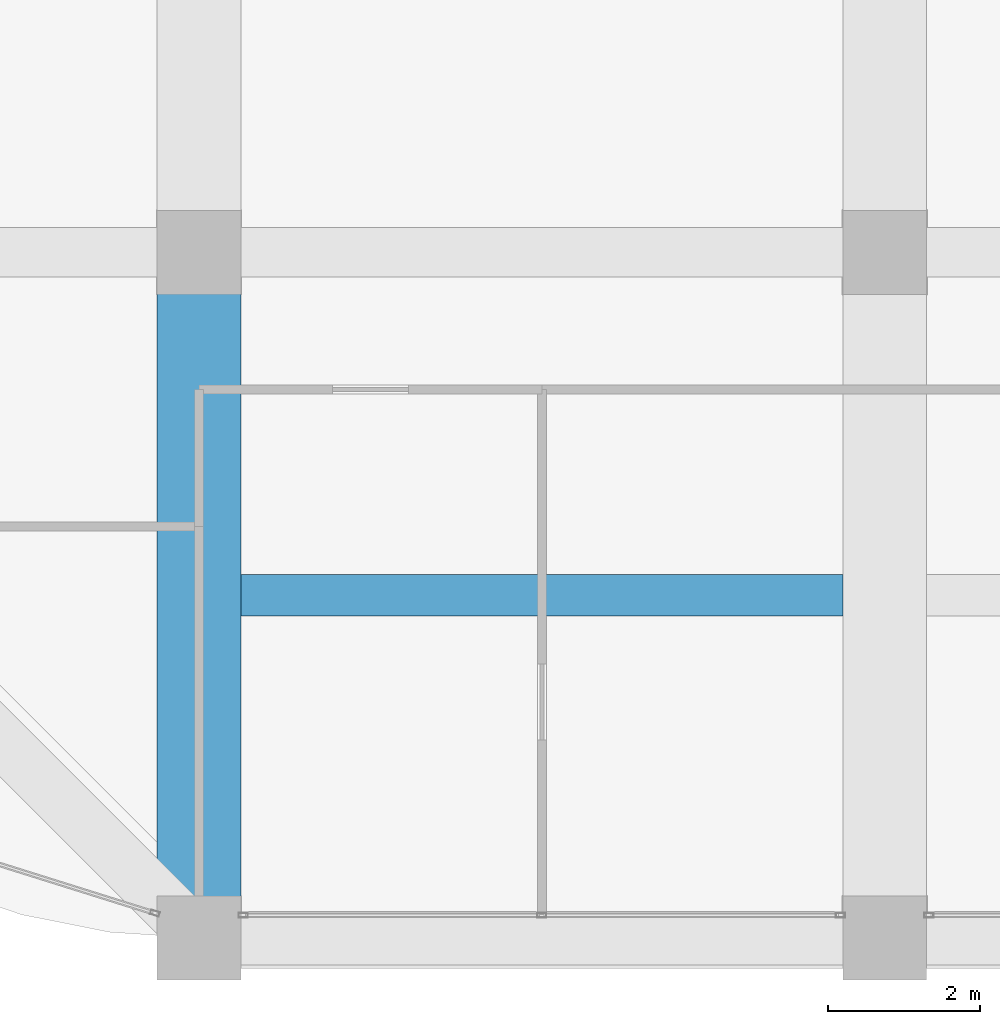
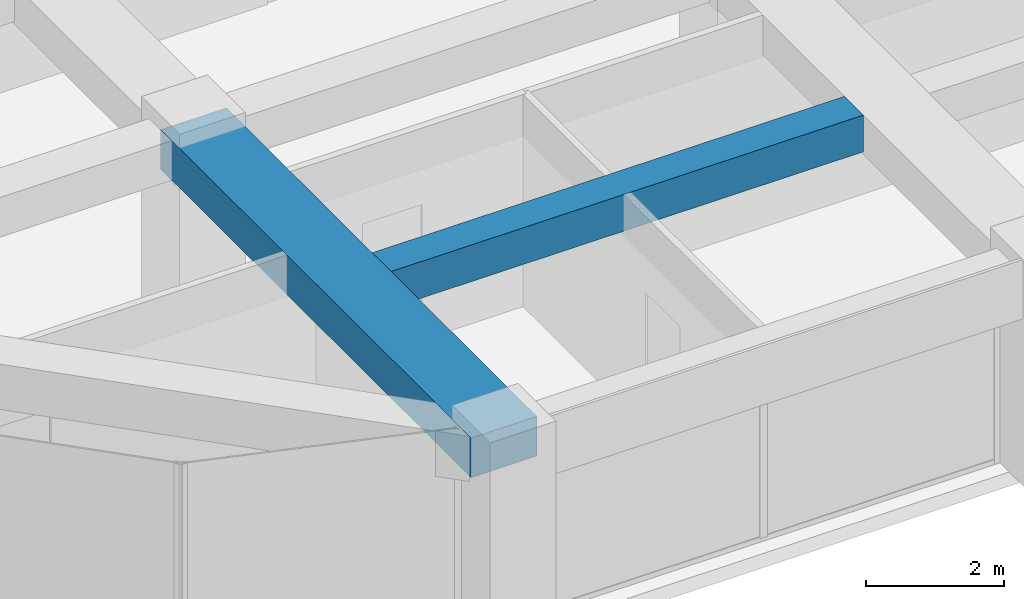
# One storey, part 5 of 44: 2 beams.
"""IFC4 building model written with IfcOpenShell, lengths in metres."""

import ifcopenshell
import ifcopenshell.guid

model = None  # the IFC model being written
_history = None  # IfcOwnerHistory: only IFC2X3 demands one
_inside = {}  # id of a spatial element -> (the spatial element, [elements in it])
_under = {}  # id of a project, library or spatial element -> (it, [spatial elements below it])
_declared = {}  # id of a project -> (the project, [libraries it declares])
_typed = {}  # id of a type object -> (the type object, [elements of that type])
_made_of = {}  # id of a material, layer set ... -> (it, [elements and type objects made of it])


def new_model(schema):
    """Start an empty IFC model of exactly this schema.

    Asked for "IFC4X3", IfcOpenShell would pick the latest addendum, in which some entities
    have other attributes; the version numbers below select the first issue.
    IFC2X3 requires an IfcOwnerHistory on every rooted entity: one is made here for all.
    """
    global model, _history
    if schema == "IFC4X3":
        model = ifcopenshell.file(schema_version=(4, 3, 0, 0))
    else:
        model = ifcopenshell.file(schema=schema)
    _inside.clear()
    _under.clear()
    _declared.clear()
    _typed.clear()
    _made_of.clear()
    _history = None
    if model.schema == "IFC2X3":
        org = make("IfcOrganization", Name="unknown")
        user = make(
            "IfcPersonAndOrganization",
            ThePerson=make("IfcPerson", FamilyName="unknown"),
            TheOrganization=org,
        )
        app = make(
            "IfcApplication",
            ApplicationDeveloper=org,
            Version="unknown",
            ApplicationFullName="unknown",
            ApplicationIdentifier="unknown",
        )
        _history = make(
            "IfcOwnerHistory",
            OwningUser=user,
            OwningApplication=app,
            ChangeAction="ADDED",
            CreationDate=0,
        )
    return model


def make(cls, **values):
    """One entity of the class cls with the attributes given. An attribute that is None is left unset."""
    return model.create_entity(
        cls, **{name: value for name, value in values.items() if value is not None}
    )


def rooted(cls, **values):
    """An entity with a GlobalId (a new one), such as an element, a storey or a relation."""
    return make(cls, GlobalId=ifcopenshell.guid.new(), OwnerHistory=_history, **values)


def si_unit(unit_type, name, prefix=None):
    """IfcSIUnit, for example si_unit("LENGTHUNIT", "METRE", prefix="MILLI")."""
    return make("IfcSIUnit", UnitType=unit_type, Prefix=prefix, Name=name)


def assignment(units):
    """IfcUnitAssignment: the units of a project."""
    return None if units is None else make("IfcUnitAssignment", Units=units)


def point(xyz):
    """IfcCartesianPoint."""
    return None if xyz is None else make("IfcCartesianPoint", Coordinates=xyz)


def direction(xyz):
    """IfcDirection."""
    return None if xyz is None else make("IfcDirection", DirectionRatios=xyz)


def frame(location, z_axis=None, x_axis=None):
    """IfcAxis2Placement3D, a coordinate frame: its origin and axes. An axis left out is left unset."""
    return make(
        "IfcAxis2Placement3D",
        Location=point(location),
        Axis=direction(z_axis),
        RefDirection=direction(x_axis),
    )


def frame_2d(location, x_axis=None):
    """IfcAxis2Placement2D, a coordinate frame in the plane: its origin and x axis."""
    return make(
        "IfcAxis2Placement2D", Location=point(location), RefDirection=direction(x_axis)
    )


def origin():
    """The frame at (0, 0, 0) with its axes left unset."""
    return frame((0.0, 0.0, 0.0))


def origin_2d():
    """The frame at (0, 0) in the plane with its x axis left unset."""
    return frame_2d((0.0, 0.0))


def place(relative_to, where):
    """IfcLocalPlacement: puts the frame where relative to a parent placement (None: the world)."""
    return make(
        "IfcLocalPlacement", PlacementRelTo=relative_to, RelativePlacement=where
    )


def context(
    kind, dimensions, precision=None, world=None, true_north=None, identifier=None
):
    """IfcGeometricRepresentationContext, for example the 3D "Model" context."""
    return make(
        "IfcGeometricRepresentationContext",
        ContextIdentifier=identifier,
        ContextType=kind,
        CoordinateSpaceDimension=dimensions,
        Precision=precision,
        WorldCoordinateSystem=world,
        TrueNorth=true_north,
    )


def subcontext(parent, identifier, kind, view, scale=None):
    """IfcGeometricRepresentationSubContext, for example "Body" below "Model"."""
    return make(
        "IfcGeometricRepresentationSubContext",
        ContextIdentifier=identifier,
        ContextType=kind,
        ParentContext=parent,
        TargetScale=scale,
        TargetView=view,
    )


def project(units=None, contexts=None):
    """IfcProject with its units and contexts."""
    return rooted(
        "IfcProject",
        Name="project",
        RepresentationContexts=contexts,
        UnitsInContext=assignment(units),
    )


def spatial(cls, under=None, at=None, **own):
    """A site, building, storey or space (cls), placed at a placement, below another one or the project."""
    s = rooted(cls, ObjectPlacement=at, **own)
    if under is not None:
        _under.setdefault(under.id(), (under, []))[1].append(s)
    return s


def profile(cls, at=None, kind="AREA", **sizes):
    """A parametric profile (cls). Its sizes go by their IFC names, for example OverallWidth=200.0."""
    return make(cls, ProfileType=kind, Position=at, **sizes)


def rectangle(**sizes):
    """IfcRectangleProfileDef."""
    return profile("IfcRectangleProfileDef", **sizes)


def extrude(swept, where, along, depth):
    """IfcExtrudedAreaSolid: the profile swept, set in the frame where, extruded along a direction by depth."""
    return make(
        "IfcExtrudedAreaSolid",
        SweptArea=swept,
        Position=where,
        ExtrudedDirection=direction(along),
        Depth=depth,
    )


def shape(context_of_items, identifier, shape_type, items):
    """IfcShapeRepresentation: the items that make up one representation, for example the "Body"."""
    return make(
        "IfcShapeRepresentation",
        ContextOfItems=context_of_items,
        RepresentationIdentifier=identifier,
        RepresentationType=shape_type,
        Items=items,
    )


def material(Name=None, Category=None):
    """IfcMaterial."""
    return make("IfcMaterial", Name=Name, Category=Category)


def material_profile(
    of_material, cross_section, Name=None, Category=None, Priority=None
):
    """IfcMaterialProfile: a cross section and its material."""
    return make(
        "IfcMaterialProfile",
        Name=Name,
        Material=of_material,
        Profile=cross_section,
        Priority=Priority,
        Category=Category,
    )


def profile_set(profiles, Name=None, composite=None):
    """IfcMaterialProfileSet."""
    return make(
        "IfcMaterialProfileSet",
        Name=Name,
        MaterialProfiles=profiles,
        CompositeProfile=composite,
    )


def made_of(thing, what):
    """Note that an element or type object is made of a material, layer set ...; save() writes the relation."""
    if what is not None:
        _made_of.setdefault(what.id(), (what, []))[1].append(thing)
    return thing


def type_object(cls, material=None, **own):
    """A type object (cls), such as IfcWallType, which elements share."""
    return made_of(rooted(cls, **own), material)


def element(
    cls,
    number,
    at=None,
    inside=None,
    cuts=None,
    type_object=None,
    material=None,
    context=None,
    identifier="Body",
    shape_type=None,
    held_by="IfcProductDefinitionShape",
    body=None,
    shapes=None,
    **own,
):
    """One element of the class cls, such as IfcWall. Its Tag is "e" and its number.

    at: its placement. inside: the storey or other place that contains it. cuts: it is an
    opening in that element (IfcRelVoidsElement). A single representation is given by context,
    identifier, shape_type and body (its items); several are given by shapes. held_by: the class
    of the entity that holds the representations. save() writes the other relations.
    """
    e = rooted(cls, Tag="e%d" % number, ObjectPlacement=at, **own)
    if body is not None:
        shapes = [shape(context, identifier, shape_type, body)]
    if shapes is not None:
        e.Representation = make(held_by, Representations=shapes)
    if inside is not None:
        _inside.setdefault(inside.id(), (inside, []))[1].append(e)
    if cuts is not None:
        rooted(
            "IfcRelVoidsElement", RelatingBuildingElement=cuts, RelatedOpeningElement=e
        )
    if type_object is not None:
        _typed.setdefault(type_object.id(), (type_object, []))[1].append(e)
    return made_of(e, material)


def aggregate(whole, parts):
    """IfcRelAggregates: a whole, such as a stair, and the parts it consists of."""
    return rooted("IfcRelAggregates", RelatingObject=whole, RelatedObjects=parts)


def save(model, path):
    """Write the relations noted so far, then the file.

    IfcRelAggregates (storeys below a building ...), IfcRelContainedInSpatialStructure (elements
    in a storey), IfcRelDefinesByType, IfcRelAssociatesMaterial and IfcRelDeclares: one each for
    every whole, place, type object, material and project.
    """
    for whole, parts in _under.values():
        aggregate(whole, parts)
    for where, things in _inside.values():
        rooted(
            "IfcRelContainedInSpatialStructure",
            RelatedElements=things,
            RelatingStructure=where,
        )
    for kind, things in _typed.values():
        rooted("IfcRelDefinesByType", RelatedObjects=things, RelatingType=kind)
    for what, things in _made_of.values():
        rooted("IfcRelAssociatesMaterial", RelatedObjects=things, RelatingMaterial=what)
    for by, libraries in _declared.values():
        rooted("IfcRelDeclares", RelatingContext=by, RelatedDefinitions=libraries)
    model.write(path)


model = new_model("IFC4")

# Units and contexts
model_context = context("Model", 3, precision=1e-05, world=origin(), true_north=direction((0.0, 1.0)))
body_context = subcontext(model_context, "Body", "Model", "MODEL_VIEW")
ifc_project = project(units=[si_unit("LENGTHUNIT", "METRE"), si_unit("AREAUNIT", "SQUARE_METRE"), si_unit("VOLUMEUNIT", "CUBIC_METRE"), si_unit("PLANEANGLEUNIT", "RADIAN"), si_unit("MASSUNIT", "GRAM", prefix="KILO")], contexts=[model_context])

# Site, building, storey
site_placement = place(None, origin())
site = spatial("IfcSite", under=ifc_project, at=site_placement, CompositionType="ELEMENT")
building_placement = place(site_placement, origin())
building = spatial("IfcBuilding", under=site, at=building_placement, Name="Zorevar Civic Tower", CompositionType="ELEMENT")
storey_placement = place(building_placement, frame((0.0, 0.0, 299.39990234375)))
storey = spatial("IfcBuildingStorey", under=building, at=storey_placement, Name="L73", CompositionType="ELEMENT", Elevation=299.39990234375)

# Beams
ifc_material_1 = material(Name="Concrete C50/60", Category="concrete")
ifc_material_profile_1 = material_profile(ifc_material_1, rectangle(XDim=1.10009765625, YDim=0.699951171875, at=origin_2d()), Name="RC 1100x700")
ifc_profile_set_1 = profile_set([ifc_material_profile_1], Name="Concrete C50/60")
beam_type_1 = type_object("IfcBeamType", Name="Beam RC 1100x700", PredefinedType="BEAM", material=ifc_profile_set_1)
beam_1_placement = place(storey_placement, frame((18.0, 0.0, 3.400146484375), z_axis=(0.0, 1.0, 0.0), x_axis=(-1.0, 0.0, 0.0)))
element("IfcBeam", 1, at=beam_1_placement, inside=storey, type_object=beam_type_1, Name="Girder L74", PredefinedType="BEAM", context=body_context, shape_type="SweptSolid", body=[
    extrude(rectangle(XDim=1.10009765625, YDim=0.699951171875, at=origin_2d()), origin(), (0.0, 0.0, 1.0), 9.0),
])
ifc_material_2 = material(Name="Concrete C50/60", Category="concrete")
ifc_material_profile_2 = material_profile(ifc_material_2, rectangle(XDim=0.550048828125, YDim=0.64990234375, at=origin_2d()), Name="RC 550x650")
ifc_profile_set_2 = profile_set([ifc_material_profile_2], Name="Concrete C50/60")
beam_type_2 = type_object("IfcBeamType", Name="Beam RC 550x650", PredefinedType="BEAM", material=ifc_profile_set_2)
beam_2_placement = place(storey_placement, frame((18.550048828125, 4.5, 3.425048828125), z_axis=(1.0, 0.0, 0.0), x_axis=(0.0, 1.0, 0.0)))
element("IfcBeam", 2, at=beam_2_placement, inside=storey, type_object=beam_type_2, Name="Secondary beam L74", PredefinedType="BEAM", context=body_context, shape_type="SweptSolid", body=[
    extrude(rectangle(XDim=0.550048828125, YDim=0.64990234375, at=origin_2d()), origin(), (0.0, 0.0, 1.0), 7.89990234375),
])

save(model, "model.ifc")
